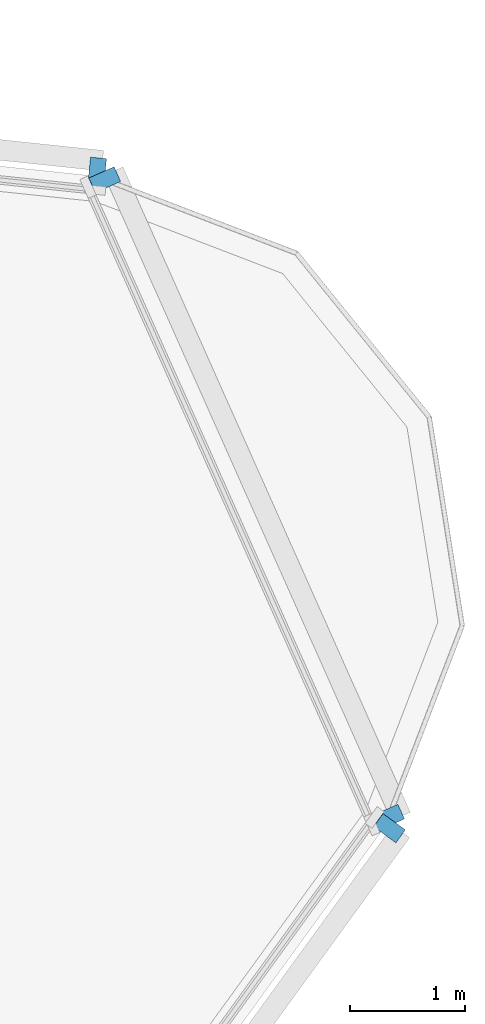
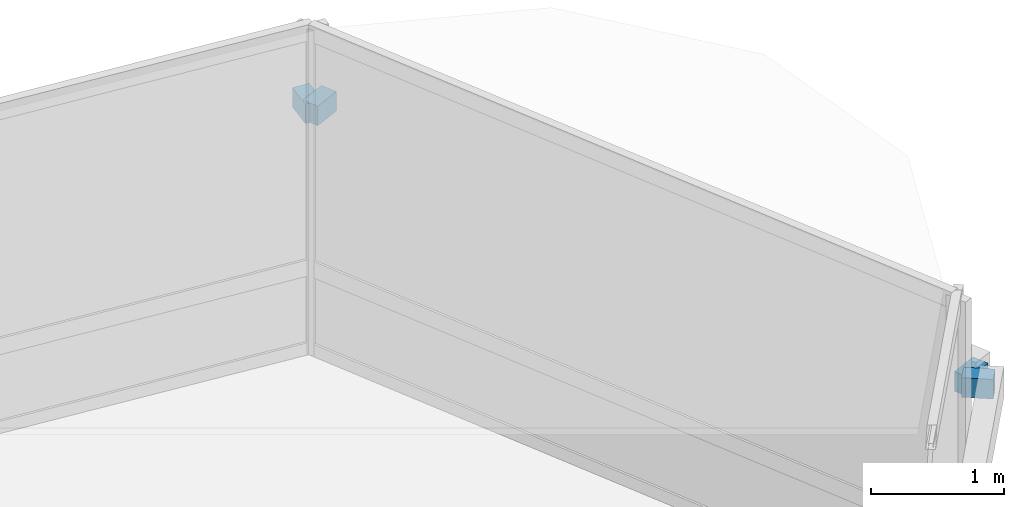
# One storey, part 11 of 15: 4 discrete accessories.
"""IFC4 building model written with IfcOpenShell, lengths in metres."""

import ifcopenshell
import ifcopenshell.guid

model = None  # the IFC model being written
_history = None  # IfcOwnerHistory: only IFC2X3 demands one
_inside = {}  # id of a spatial element -> (the spatial element, [elements in it])
_under = {}  # id of a project, library or spatial element -> (it, [spatial elements below it])
_declared = {}  # id of a project -> (the project, [libraries it declares])
_typed = {}  # id of a type object -> (the type object, [elements of that type])
_made_of = {}  # id of a material, layer set ... -> (it, [elements and type objects made of it])


def new_model(schema):
    """Start an empty IFC model of exactly this schema.

    Asked for "IFC4X3", IfcOpenShell would pick the latest addendum, in which some entities
    have other attributes; the version numbers below select the first issue.
    IFC2X3 requires an IfcOwnerHistory on every rooted entity: one is made here for all.
    """
    global model, _history
    if schema == "IFC4X3":
        model = ifcopenshell.file(schema_version=(4, 3, 0, 0))
    else:
        model = ifcopenshell.file(schema=schema)
    _inside.clear()
    _under.clear()
    _declared.clear()
    _typed.clear()
    _made_of.clear()
    _history = None
    if model.schema == "IFC2X3":
        org = make("IfcOrganization", Name="unknown")
        user = make(
            "IfcPersonAndOrganization",
            ThePerson=make("IfcPerson", FamilyName="unknown"),
            TheOrganization=org,
        )
        app = make(
            "IfcApplication",
            ApplicationDeveloper=org,
            Version="unknown",
            ApplicationFullName="unknown",
            ApplicationIdentifier="unknown",
        )
        _history = make(
            "IfcOwnerHistory",
            OwningUser=user,
            OwningApplication=app,
            ChangeAction="ADDED",
            CreationDate=0,
        )
    return model


def make(cls, **values):
    """One entity of the class cls with the attributes given. An attribute that is None is left unset."""
    return model.create_entity(
        cls, **{name: value for name, value in values.items() if value is not None}
    )


def rooted(cls, **values):
    """An entity with a GlobalId (a new one), such as an element, a storey or a relation."""
    return make(cls, GlobalId=ifcopenshell.guid.new(), OwnerHistory=_history, **values)


def si_unit(unit_type, name, prefix=None):
    """IfcSIUnit, for example si_unit("LENGTHUNIT", "METRE", prefix="MILLI")."""
    return make("IfcSIUnit", UnitType=unit_type, Prefix=prefix, Name=name)


def assignment(units):
    """IfcUnitAssignment: the units of a project."""
    return None if units is None else make("IfcUnitAssignment", Units=units)


def point(xyz):
    """IfcCartesianPoint."""
    return None if xyz is None else make("IfcCartesianPoint", Coordinates=xyz)


def direction(xyz):
    """IfcDirection."""
    return None if xyz is None else make("IfcDirection", DirectionRatios=xyz)


def frame(location, z_axis=None, x_axis=None):
    """IfcAxis2Placement3D, a coordinate frame: its origin and axes. An axis left out is left unset."""
    return make(
        "IfcAxis2Placement3D",
        Location=point(location),
        Axis=direction(z_axis),
        RefDirection=direction(x_axis),
    )


def frame_2d(location, x_axis=None):
    """IfcAxis2Placement2D, a coordinate frame in the plane: its origin and x axis."""
    return make(
        "IfcAxis2Placement2D", Location=point(location), RefDirection=direction(x_axis)
    )


def origin():
    """The frame at (0, 0, 0) with its axes left unset."""
    return frame((0.0, 0.0, 0.0))


def origin_2d():
    """The frame at (0, 0) in the plane with its x axis left unset."""
    return frame_2d((0.0, 0.0))


def place(relative_to, where):
    """IfcLocalPlacement: puts the frame where relative to a parent placement (None: the world)."""
    return make(
        "IfcLocalPlacement", PlacementRelTo=relative_to, RelativePlacement=where
    )


def context(
    kind, dimensions, precision=None, world=None, true_north=None, identifier=None
):
    """IfcGeometricRepresentationContext, for example the 3D "Model" context."""
    return make(
        "IfcGeometricRepresentationContext",
        ContextIdentifier=identifier,
        ContextType=kind,
        CoordinateSpaceDimension=dimensions,
        Precision=precision,
        WorldCoordinateSystem=world,
        TrueNorth=true_north,
    )


def subcontext(parent, identifier, kind, view, scale=None):
    """IfcGeometricRepresentationSubContext, for example "Body" below "Model"."""
    return make(
        "IfcGeometricRepresentationSubContext",
        ContextIdentifier=identifier,
        ContextType=kind,
        ParentContext=parent,
        TargetScale=scale,
        TargetView=view,
    )


def project(units=None, contexts=None):
    """IfcProject with its units and contexts."""
    return rooted(
        "IfcProject",
        Name="project",
        RepresentationContexts=contexts,
        UnitsInContext=assignment(units),
    )


def spatial(cls, under=None, at=None, **own):
    """A site, building, storey or space (cls), placed at a placement, below another one or the project."""
    s = rooted(cls, ObjectPlacement=at, **own)
    if under is not None:
        _under.setdefault(under.id(), (under, []))[1].append(s)
    return s


def profile(cls, at=None, kind="AREA", **sizes):
    """A parametric profile (cls). Its sizes go by their IFC names, for example OverallWidth=200.0."""
    return make(cls, ProfileType=kind, Position=at, **sizes)


def rectangle(**sizes):
    """IfcRectangleProfileDef."""
    return profile("IfcRectangleProfileDef", **sizes)


def extrude(swept, where, along, depth):
    """IfcExtrudedAreaSolid: the profile swept, set in the frame where, extruded along a direction by depth."""
    return make(
        "IfcExtrudedAreaSolid",
        SweptArea=swept,
        Position=where,
        ExtrudedDirection=direction(along),
        Depth=depth,
    )


def shape(context_of_items, identifier, shape_type, items):
    """IfcShapeRepresentation: the items that make up one representation, for example the "Body"."""
    return make(
        "IfcShapeRepresentation",
        ContextOfItems=context_of_items,
        RepresentationIdentifier=identifier,
        RepresentationType=shape_type,
        Items=items,
    )


def material(Name=None, Category=None):
    """IfcMaterial."""
    return make("IfcMaterial", Name=Name, Category=Category)


def made_of(thing, what):
    """Note that an element or type object is made of a material, layer set ...; save() writes the relation."""
    if what is not None:
        _made_of.setdefault(what.id(), (what, []))[1].append(thing)
    return thing


def type_object(cls, material=None, **own):
    """A type object (cls), such as IfcWallType, which elements share."""
    return made_of(rooted(cls, **own), material)


def element(
    cls,
    number,
    at=None,
    inside=None,
    cuts=None,
    type_object=None,
    material=None,
    context=None,
    identifier="Body",
    shape_type=None,
    held_by="IfcProductDefinitionShape",
    body=None,
    shapes=None,
    **own,
):
    """One element of the class cls, such as IfcWall. Its Tag is "e" and its number.

    at: its placement. inside: the storey or other place that contains it. cuts: it is an
    opening in that element (IfcRelVoidsElement). A single representation is given by context,
    identifier, shape_type and body (its items); several are given by shapes. held_by: the class
    of the entity that holds the representations. save() writes the other relations.
    """
    e = rooted(cls, Tag="e%d" % number, ObjectPlacement=at, **own)
    if body is not None:
        shapes = [shape(context, identifier, shape_type, body)]
    if shapes is not None:
        e.Representation = make(held_by, Representations=shapes)
    if inside is not None:
        _inside.setdefault(inside.id(), (inside, []))[1].append(e)
    if cuts is not None:
        rooted(
            "IfcRelVoidsElement", RelatingBuildingElement=cuts, RelatedOpeningElement=e
        )
    if type_object is not None:
        _typed.setdefault(type_object.id(), (type_object, []))[1].append(e)
    return made_of(e, material)


def aggregate(whole, parts):
    """IfcRelAggregates: a whole, such as a stair, and the parts it consists of."""
    return rooted("IfcRelAggregates", RelatingObject=whole, RelatedObjects=parts)


def save(model, path):
    """Write the relations noted so far, then the file.

    IfcRelAggregates (storeys below a building ...), IfcRelContainedInSpatialStructure (elements
    in a storey), IfcRelDefinesByType, IfcRelAssociatesMaterial and IfcRelDeclares: one each for
    every whole, place, type object, material and project.
    """
    for whole, parts in _under.values():
        aggregate(whole, parts)
    for where, things in _inside.values():
        rooted(
            "IfcRelContainedInSpatialStructure",
            RelatedElements=things,
            RelatingStructure=where,
        )
    for kind, things in _typed.values():
        rooted("IfcRelDefinesByType", RelatedObjects=things, RelatingType=kind)
    for what, things in _made_of.values():
        rooted("IfcRelAssociatesMaterial", RelatedObjects=things, RelatingMaterial=what)
    for by, libraries in _declared.values():
        rooted("IfcRelDeclares", RelatingContext=by, RelatedDefinitions=libraries)
    model.write(path)


model = new_model("IFC4")

# Units and contexts
model_context = context("Model", 3, precision=1e-05, world=origin(), true_north=direction((0.0, 1.0)))
body_context = subcontext(model_context, "Body", "Model", "MODEL_VIEW")
ifc_project = project(units=[si_unit("LENGTHUNIT", "METRE"), si_unit("AREAUNIT", "SQUARE_METRE"), si_unit("VOLUMEUNIT", "CUBIC_METRE"), si_unit("PLANEANGLEUNIT", "RADIAN"), si_unit("MASSUNIT", "GRAM", prefix="KILO")], contexts=[model_context])

# Site, building, storey
site_placement = place(None, origin())
site = spatial("IfcSite", under=ifc_project, at=site_placement, CompositionType="ELEMENT")
building_placement = place(site_placement, origin())
building = spatial("IfcBuilding", under=site, at=building_placement, Name="Terralouvre Media Tower", CompositionType="ELEMENT")
storey_placement = place(building_placement, frame((0.0, 0.0, 237.39990234375)))
storey = spatial("IfcBuildingStorey", under=building, at=storey_placement, Name="L61", CompositionType="ELEMENT", Elevation=237.39990234375)

# Discrete accessories
ifc_material = material(Name="Anodised extruded aluminium 6063-T6", Category="aluminium")
discrete_accessory_type = type_object("IfcDiscreteAccessoryType", Name="Mullion Stand-Off Baguette Fixing Bracket BK-01", PredefinedType="BRACKET", material=ifc_material)
for number, where, z_axis, x_axis, name in (
    (1, (26.880615234375, 8.544189453125, 2.07421875), (0.0, 0.0, 1.0), (0.587785300879, 0.809016959074, 0.0), "CW-L61-F0 Baguette Outrigger Bracket 1.06"),
    (2, (24.336181640625, 14.259033203125, 2.07421875), (0.0, 0.0, 1.0), (-0.994521885028, 0.104528561651, 0.0), "CW-L61-F1 Baguette Outrigger Bracket 1.01"),
    (3, (26.873291015625, 8.640380859375, 2.07421875), (0.0, 0.0, 1.0), (-0.406737441315, 0.913545102243, 0.0), "CW-L61-C1 Baguette Outrigger Bracket 1.01"),
    (4, (24.40283203125, 14.189208984375, 2.07421875), (0.0, 0.0, 1.0), (-0.406737441315, 0.913545102243, 0.0), "CW-L61-C1 Baguette Outrigger Bracket 1.02"),
):
    element("IfcDiscreteAccessory", number, at=place(storey_placement, frame(where, z_axis=z_axis, x_axis=x_axis)), inside=storey, type_object=discrete_accessory_type, Name=name, PredefinedType="BRACKET", context=body_context, shape_type="SweptSolid", body=[
        extrude(rectangle(XDim=0.139892578125, YDim=0.239990234375, at=origin_2d()), origin(), (0.0, 0.0, 1.0), 0.179931640625),
    ])

save(model, "model.ifc")
